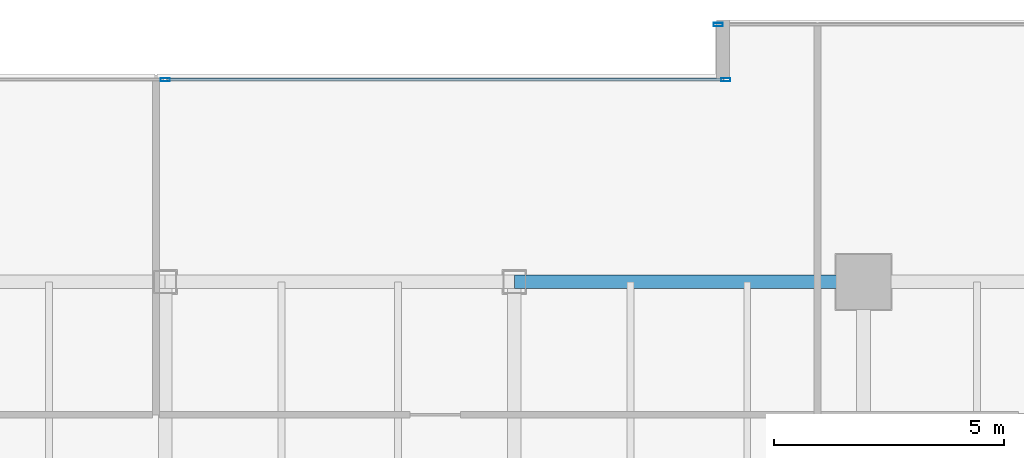
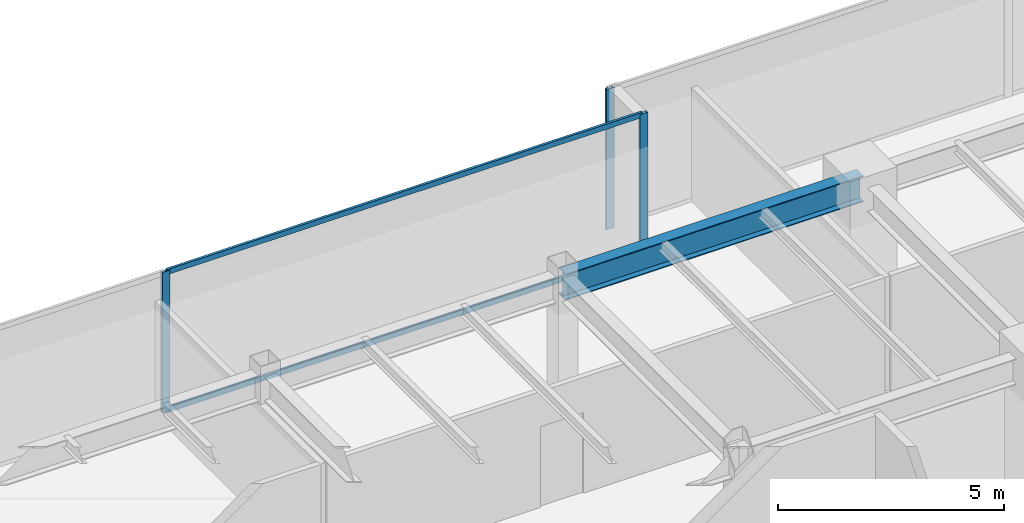
# One storey, part 18 of 33: 5 members, 1 beam, 2 elements without a shape of their own.
"""IFC4 building model written with IfcOpenShell, lengths in metres."""

from ifc_helpers import new_model, si_unit, direction, frame, origin, origin_2d, place, context, subcontext, project, spatial, hollow_rectangle, i_section, extrude, source, transform, mapped, material, layer, layer_set, material_profile, profile_set, type_object, type_shapes, element, aggregate, save


model = new_model("IFC4")

# Units and contexts
model_context = context("Model", 3, precision=1e-05, world=origin(), true_north=direction((0.0, 1.0)))
body_context = subcontext(model_context, "Body", "Model", "MODEL_VIEW")
ifc_project = project(units=[si_unit("LENGTHUNIT", "METRE"), si_unit("AREAUNIT", "SQUARE_METRE"), si_unit("VOLUMEUNIT", "CUBIC_METRE"), si_unit("PLANEANGLEUNIT", "RADIAN"), si_unit("MASSUNIT", "GRAM", prefix="KILO")], contexts=[model_context])

# Site, building, storey
site_placement = place(None, origin())
site = spatial("IfcSite", under=ifc_project, at=site_placement, CompositionType="ELEMENT")
building_placement = place(site_placement, origin())
building = spatial("IfcBuilding", under=site, at=building_placement, Name="Haelvirn Gate Laboratories", CompositionType="ELEMENT")
storey_placement = place(building_placement, frame((0.0, 0.0, 133.800048828125)))
storey = spatial("IfcBuildingStorey", under=building, at=storey_placement, Name="L32", CompositionType="ELEMENT", Elevation=133.800048828125)

# Beam
ifc_material_1 = material(Name="Steel SM355", Category="steel")
ifc_material_profile_1 = material_profile(ifc_material_1, i_section(OverallWidth=0.300048828125, OverallDepth=0.699951171875, WebThickness=0.012939453125, FlangeThickness=0.02392578125, at=origin_2d()), Name="H-700x300x13x24")
ifc_profile_set_1 = profile_set([ifc_material_profile_1], Name="Steel SM355")
beam_type = type_object("IfcBeamType", Name="BM-G-700", PredefinedType="BEAM", material=ifc_profile_set_1)
shared_shape_1 = source(origin(), body_context, "Body", "SweptSolid", [
    extrude(i_section(OverallWidth=0.300048828125, OverallDepth=0.699951171875, WebThickness=0.012939453125, FlangeThickness=0.02392578125, at=origin_2d()), origin(), (0.0, 0.0, 1.0), 7.60009765625),
])
type_shapes(beam_type, [shared_shape_1])
beam_placement = place(storey_placement, frame((45.0, 41.60009765625, 3.43994140625), z_axis=(1.0, 0.0, 0.0), x_axis=(0.0, 1.0, 0.0)))
element("IfcBeam", 1, at=beam_placement, inside=storey, type_object=beam_type, Name="L32 Primary Girder Y41.6 (45.0-52.6)", PredefinedType="BEAM", context=body_context, shape_type="MappedRepresentation", body=[
    mapped(shared_shape_1, transform((0.0, 0.0, 0.0), scale=1.0)),
])

# Curtain wall, members
ifc_material_2 = material(Name="Anodised bronze unitised aluminium & triple low-E glass", Category="aluminium")
ifc_layer = layer(ifc_material_2, 0.179931640625, Name="CW-SYS-3")
ifc_layer_set = layer_set([ifc_layer], Name="Anodised bronze unitised aluminium & triple low-E glass")
curtain_wall_type = type_object("IfcCurtainWallType", Name="CW-SYS-3", PredefinedType="NOTDEFINED", material=ifc_layer_set)
curtain_wall_1_placement = place(storey_placement, origin())
curtain_wall_1 = element("IfcCurtainWall", 2, at=curtain_wall_1_placement, inside=storey, type_object=curtain_wall_type, Name="L32 Unitised Curtain Wall CW-L32-P0-E12-1", PredefinedType="NOTDEFINED")
ifc_material_3 = material(Name="Extruded aluminium 6063-T6 (anodised bronze)", Category="aluminium")
ifc_material_profile_2 = material_profile(ifc_material_3, hollow_rectangle(XDim=0.06494140625, YDim=0.139892578125, WallThickness=0.00390625, at=origin_2d()), Name="CWT-140x65x4")
ifc_profile_set_2 = profile_set([ifc_material_profile_2], Name="Extruded aluminium 6063-T6 (anodised bronze)")
member_type_1 = type_object("IfcMemberType", Name="CWT-T140", PredefinedType="USERDEFINED", material=ifc_profile_set_2)
shared_shape_2 = source(origin(), body_context, "Body", "SweptSolid", [
    extrude(hollow_rectangle(XDim=0.06494140625, YDim=0.139892578125, WallThickness=0.00390625, at=origin_2d()), origin(), (0.0, 0.0, 1.0), 12.12744140625),
])
type_shapes(member_type_1, [shared_shape_2])
member_1_placement = place(storey_placement, frame((37.4375, 46.0, 0.032470703125), z_axis=(1.0, 0.0, 0.0), x_axis=(0.0, 1.0, 0.0)))
member_1 = element("IfcMember", 3, at=member_1_placement, type_object=member_type_1, Name="CW3 transom 2.1", ObjectType="TRANSOM", PredefinedType="USERDEFINED", context=body_context, shape_type="MappedRepresentation", body=[
    mapped(shared_shape_2, transform((0.0, 0.0, 0.0), scale=1.0)),
])
member_2_placement = place(storey_placement, frame((37.4375, 46.0, 3.757568359375), z_axis=(1.0, 0.0, 0.0), x_axis=(0.0, 1.0, 0.0)))
member_2 = element("IfcMember", 4, at=member_2_placement, type_object=member_type_1, Name="CW3 transom 2.2", ObjectType="TRANSOM", PredefinedType="USERDEFINED", context=body_context, shape_type="MappedRepresentation", body=[
    mapped(shared_shape_2, transform((0.0, 0.0, 0.0), scale=1.0)),
])

# Curtain wall, member
curtain_wall_2_placement = place(storey_placement, origin())
curtain_wall_2 = element("IfcCurtainWall", 5, at=curtain_wall_2_placement, inside=storey, type_object=curtain_wall_type, Name="L32 Unitised Curtain Wall CW-L32-P0-E10-1", PredefinedType="NOTDEFINED")
ifc_material_profile_3 = material_profile(ifc_material_3, hollow_rectangle(XDim=0.074951171875, YDim=0.199951171875, WallThickness=0.0048828125, at=origin_2d()), Name="CWM-200x75x5")
ifc_profile_set_3 = profile_set([ifc_material_profile_3], Name="Extruded aluminium 6063-T6 (anodised bronze)")
member_type_2 = type_object("IfcMemberType", Name="CWM-T200", PredefinedType="MULLION", material=ifc_profile_set_3)
shared_shape_3 = source(origin(), body_context, "Body", "SweptSolid", [
    extrude(hollow_rectangle(XDim=0.074951171875, YDim=0.199951171875, WallThickness=0.0048828125, at=origin_2d()), origin(), (0.0, 0.0, 1.0), 3.7900390625),
])
type_shapes(member_type_2, [shared_shape_3])
member_3_placement = place(storey_placement, frame((49.4375, 47.199951171875, 0.0), z_axis=(0.0, 0.0, 1.0), x_axis=(0.0, 1.0, 0.0)))
member_3 = element("IfcMember", 6, at=member_3_placement, type_object=member_type_2, Name="CW3 mullion 1", PredefinedType="MULLION", context=body_context, shape_type="MappedRepresentation", body=[
    mapped(shared_shape_3, transform((0.0, 0.0, 0.0), scale=1.0)),
])
aggregate(curtain_wall_2, [member_3])

# Member
member_4_placement = place(storey_placement, frame((37.39990234375, 46.0, 0.0), z_axis=(0.0, 0.0, 1.0), x_axis=(0.0, 1.0, 0.0)))
member_4 = element("IfcMember", 7, at=member_4_placement, type_object=member_type_2, Name="CW3 mullion 2", PredefinedType="MULLION", context=body_context, shape_type="MappedRepresentation", body=[
    mapped(shared_shape_3, transform((0.0, 0.0, 0.0), scale=1.0)),
])

member_5_placement = place(storey_placement, frame((49.6025390625, 46.0, 0.0), z_axis=(0.0, 0.0, 1.0), x_axis=(0.0, 1.0, 0.0)))
member_5 = element("IfcMember", 8, at=member_5_placement, type_object=member_type_2, Name="CW3 mullion 3", PredefinedType="MULLION", context=body_context, shape_type="MappedRepresentation", body=[
    mapped(shared_shape_3, transform((0.0, 0.0, 0.0), scale=1.0)),
])

aggregate(curtain_wall_1, [member_4, member_5, member_1, member_2])

save(model, "model.ifc")
